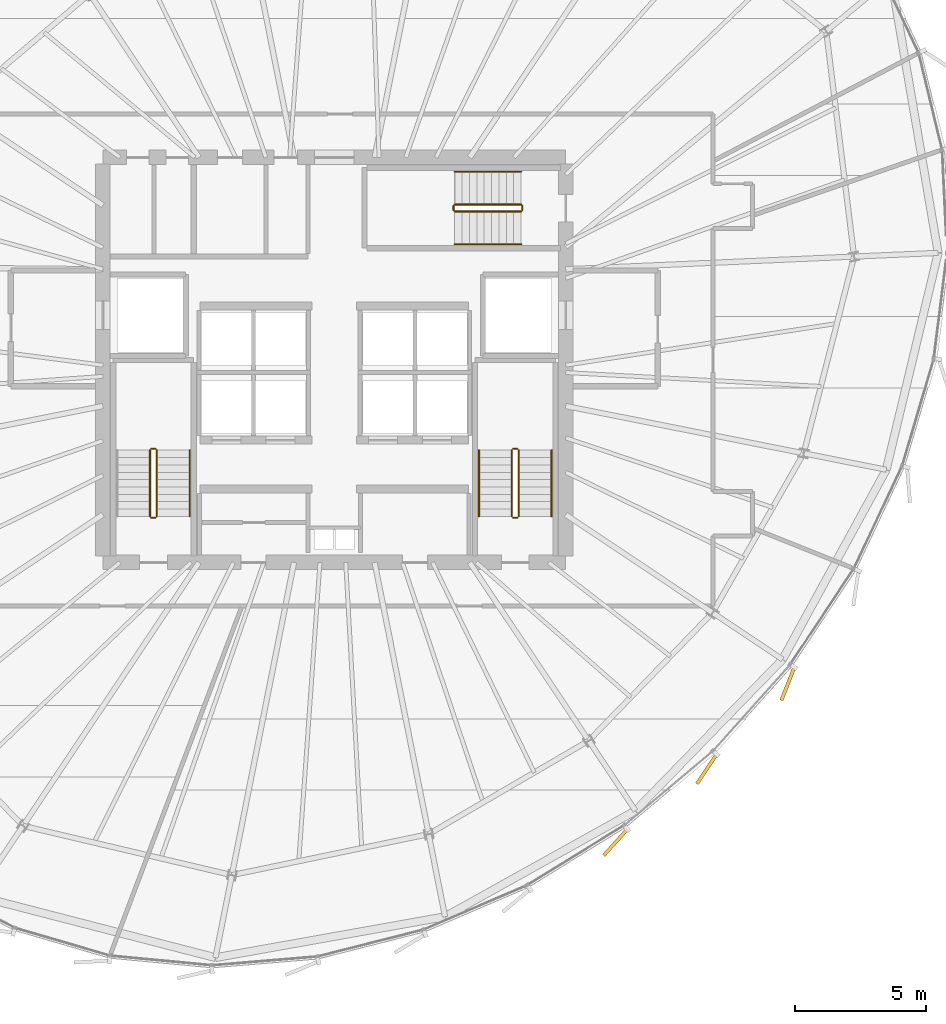
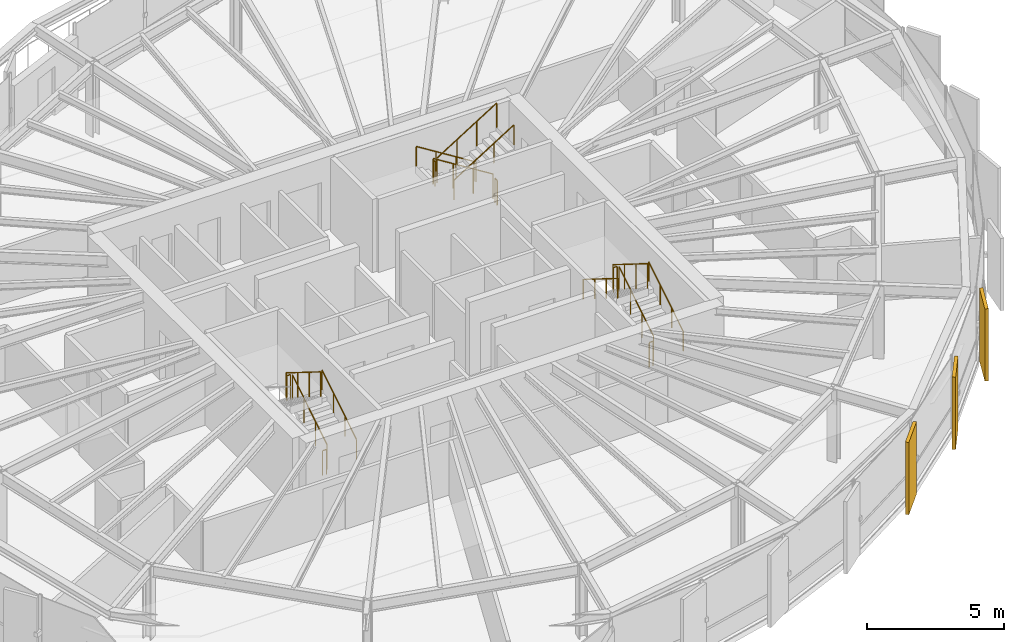
# One storey, part 32 of 33: 17 railings, 3 coverings.
"""IFC4 building model written with IfcOpenShell, lengths in metres."""

import ifcopenshell
import ifcopenshell.guid

model = None  # the IFC model being written
_history = None  # IfcOwnerHistory: only IFC2X3 demands one
_inside = {}  # id of a spatial element -> (the spatial element, [elements in it])
_under = {}  # id of a project, library or spatial element -> (it, [spatial elements below it])
_declared = {}  # id of a project -> (the project, [libraries it declares])
_typed = {}  # id of a type object -> (the type object, [elements of that type])
_made_of = {}  # id of a material, layer set ... -> (it, [elements and type objects made of it])


def new_model(schema):
    """Start an empty IFC model of exactly this schema.

    Asked for "IFC4X3", IfcOpenShell would pick the latest addendum, in which some entities
    have other attributes; the version numbers below select the first issue.
    IFC2X3 requires an IfcOwnerHistory on every rooted entity: one is made here for all.
    """
    global model, _history
    if schema == "IFC4X3":
        model = ifcopenshell.file(schema_version=(4, 3, 0, 0))
    else:
        model = ifcopenshell.file(schema=schema)
    _inside.clear()
    _under.clear()
    _declared.clear()
    _typed.clear()
    _made_of.clear()
    _history = None
    if model.schema == "IFC2X3":
        org = make("IfcOrganization", Name="unknown")
        user = make(
            "IfcPersonAndOrganization",
            ThePerson=make("IfcPerson", FamilyName="unknown"),
            TheOrganization=org,
        )
        app = make(
            "IfcApplication",
            ApplicationDeveloper=org,
            Version="unknown",
            ApplicationFullName="unknown",
            ApplicationIdentifier="unknown",
        )
        _history = make(
            "IfcOwnerHistory",
            OwningUser=user,
            OwningApplication=app,
            ChangeAction="ADDED",
            CreationDate=0,
        )
    return model


def make(cls, **values):
    """One entity of the class cls with the attributes given. An attribute that is None is left unset."""
    return model.create_entity(
        cls, **{name: value for name, value in values.items() if value is not None}
    )


def rooted(cls, **values):
    """An entity with a GlobalId (a new one), such as an element, a storey or a relation."""
    return make(cls, GlobalId=ifcopenshell.guid.new(), OwnerHistory=_history, **values)


def si_unit(unit_type, name, prefix=None):
    """IfcSIUnit, for example si_unit("LENGTHUNIT", "METRE", prefix="MILLI")."""
    return make("IfcSIUnit", UnitType=unit_type, Prefix=prefix, Name=name)


def assignment(units):
    """IfcUnitAssignment: the units of a project."""
    return None if units is None else make("IfcUnitAssignment", Units=units)


def point(xyz):
    """IfcCartesianPoint."""
    return None if xyz is None else make("IfcCartesianPoint", Coordinates=xyz)


def direction(xyz):
    """IfcDirection."""
    return None if xyz is None else make("IfcDirection", DirectionRatios=xyz)


def frame(location, z_axis=None, x_axis=None):
    """IfcAxis2Placement3D, a coordinate frame: its origin and axes. An axis left out is left unset."""
    return make(
        "IfcAxis2Placement3D",
        Location=point(location),
        Axis=direction(z_axis),
        RefDirection=direction(x_axis),
    )


def frame_2d(location, x_axis=None):
    """IfcAxis2Placement2D, a coordinate frame in the plane: its origin and x axis."""
    return make(
        "IfcAxis2Placement2D", Location=point(location), RefDirection=direction(x_axis)
    )


def origin():
    """The frame at (0, 0, 0) with its axes left unset."""
    return frame((0.0, 0.0, 0.0))


def origin_2d():
    """The frame at (0, 0) in the plane with its x axis left unset."""
    return frame_2d((0.0, 0.0))


def place(relative_to, where):
    """IfcLocalPlacement: puts the frame where relative to a parent placement (None: the world)."""
    return make(
        "IfcLocalPlacement", PlacementRelTo=relative_to, RelativePlacement=where
    )


def context(
    kind, dimensions, precision=None, world=None, true_north=None, identifier=None
):
    """IfcGeometricRepresentationContext, for example the 3D "Model" context."""
    return make(
        "IfcGeometricRepresentationContext",
        ContextIdentifier=identifier,
        ContextType=kind,
        CoordinateSpaceDimension=dimensions,
        Precision=precision,
        WorldCoordinateSystem=world,
        TrueNorth=true_north,
    )


def subcontext(parent, identifier, kind, view, scale=None):
    """IfcGeometricRepresentationSubContext, for example "Body" below "Model"."""
    return make(
        "IfcGeometricRepresentationSubContext",
        ContextIdentifier=identifier,
        ContextType=kind,
        ParentContext=parent,
        TargetScale=scale,
        TargetView=view,
    )


def project(units=None, contexts=None):
    """IfcProject with its units and contexts."""
    return rooted(
        "IfcProject",
        Name="project",
        RepresentationContexts=contexts,
        UnitsInContext=assignment(units),
    )


def spatial(cls, under=None, at=None, **own):
    """A site, building, storey or space (cls), placed at a placement, below another one or the project."""
    s = rooted(cls, ObjectPlacement=at, **own)
    if under is not None:
        _under.setdefault(under.id(), (under, []))[1].append(s)
    return s


def profile(cls, at=None, kind="AREA", **sizes):
    """A parametric profile (cls). Its sizes go by their IFC names, for example OverallWidth=200.0."""
    return make(cls, ProfileType=kind, Position=at, **sizes)


def rectangle(**sizes):
    """IfcRectangleProfileDef."""
    return profile("IfcRectangleProfileDef", **sizes)


def circle(**sizes):
    """IfcCircleProfileDef."""
    return profile("IfcCircleProfileDef", **sizes)


def extrude(swept, where, along, depth):
    """IfcExtrudedAreaSolid: the profile swept, set in the frame where, extruded along a direction by depth."""
    return make(
        "IfcExtrudedAreaSolid",
        SweptArea=swept,
        Position=where,
        ExtrudedDirection=direction(along),
        Depth=depth,
    )


def shape(context_of_items, identifier, shape_type, items):
    """IfcShapeRepresentation: the items that make up one representation, for example the "Body"."""
    return make(
        "IfcShapeRepresentation",
        ContextOfItems=context_of_items,
        RepresentationIdentifier=identifier,
        RepresentationType=shape_type,
        Items=items,
    )


def source(mapping_origin, context_of_items, identifier, shape_type, items):
    """IfcRepresentationMap: a shape defined once, which mapped items show again and again."""
    return make(
        "IfcRepresentationMap",
        MappingOrigin=mapping_origin,
        MappedRepresentation=shape(context_of_items, identifier, shape_type, items),
    )


def transform(
    local_origin,
    x_axis=None,
    y_axis=None,
    z_axis=None,
    scale=None,
    scale2=None,
    scale3=None,
    uniform=True,
):
    """IfcCartesianTransformationOperator3D, or its non-uniform kind. x_axis, y_axis, z_axis: its Axis1, 2, 3."""
    if uniform:
        return make(
            "IfcCartesianTransformationOperator3D",
            Axis1=direction(x_axis),
            Axis2=direction(y_axis),
            LocalOrigin=point(local_origin),
            Scale=scale,
            Axis3=direction(z_axis),
        )
    return make(
        "IfcCartesianTransformationOperator3DnonUniform",
        Axis1=direction(x_axis),
        Axis2=direction(y_axis),
        LocalOrigin=point(local_origin),
        Scale=scale,
        Axis3=direction(z_axis),
        Scale2=scale2,
        Scale3=scale3,
    )


def mapped(mapping_source, mapping_target):
    """IfcMappedItem: shows the shape of a source again, moved by a transform."""
    return make(
        "IfcMappedItem", MappingSource=mapping_source, MappingTarget=mapping_target
    )


def material(Name=None, Category=None):
    """IfcMaterial."""
    return make("IfcMaterial", Name=Name, Category=Category)


def layer(
    of_material, thickness, ventilated=None, Name=None, Category=None, Priority=None
):
    """IfcMaterialLayer: one layer of a wall or slab, of a material (None: an air gap)."""
    return make(
        "IfcMaterialLayer",
        Material=of_material,
        LayerThickness=thickness,
        IsVentilated=ventilated,
        Name=Name,
        Category=Category,
        Priority=Priority,
    )


def layer_set(layers, Name=None):
    """IfcMaterialLayerSet."""
    return make("IfcMaterialLayerSet", MaterialLayers=layers, LayerSetName=Name)


def made_of(thing, what):
    """Note that an element or type object is made of a material, layer set ...; save() writes the relation."""
    if what is not None:
        _made_of.setdefault(what.id(), (what, []))[1].append(thing)
    return thing


def type_object(cls, material=None, **own):
    """A type object (cls), such as IfcWallType, which elements share."""
    return made_of(rooted(cls, **own), material)


def element(
    cls,
    number,
    at=None,
    inside=None,
    cuts=None,
    type_object=None,
    material=None,
    context=None,
    identifier="Body",
    shape_type=None,
    held_by="IfcProductDefinitionShape",
    body=None,
    shapes=None,
    **own,
):
    """One element of the class cls, such as IfcWall. Its Tag is "e" and its number.

    at: its placement. inside: the storey or other place that contains it. cuts: it is an
    opening in that element (IfcRelVoidsElement). A single representation is given by context,
    identifier, shape_type and body (its items); several are given by shapes. held_by: the class
    of the entity that holds the representations. save() writes the other relations.
    """
    e = rooted(cls, Tag="e%d" % number, ObjectPlacement=at, **own)
    if body is not None:
        shapes = [shape(context, identifier, shape_type, body)]
    if shapes is not None:
        e.Representation = make(held_by, Representations=shapes)
    if inside is not None:
        _inside.setdefault(inside.id(), (inside, []))[1].append(e)
    if cuts is not None:
        rooted(
            "IfcRelVoidsElement", RelatingBuildingElement=cuts, RelatedOpeningElement=e
        )
    if type_object is not None:
        _typed.setdefault(type_object.id(), (type_object, []))[1].append(e)
    return made_of(e, material)


def aggregate(whole, parts):
    """IfcRelAggregates: a whole, such as a stair, and the parts it consists of."""
    return rooted("IfcRelAggregates", RelatingObject=whole, RelatedObjects=parts)


def save(model, path):
    """Write the relations noted so far, then the file.

    IfcRelAggregates (storeys below a building ...), IfcRelContainedInSpatialStructure (elements
    in a storey), IfcRelDefinesByType, IfcRelAssociatesMaterial and IfcRelDeclares: one each for
    every whole, place, type object, material and project.
    """
    for whole, parts in _under.values():
        aggregate(whole, parts)
    for where, things in _inside.values():
        rooted(
            "IfcRelContainedInSpatialStructure",
            RelatedElements=things,
            RelatingStructure=where,
        )
    for kind, things in _typed.values():
        rooted("IfcRelDefinesByType", RelatedObjects=things, RelatingType=kind)
    for what, things in _made_of.values():
        rooted("IfcRelAssociatesMaterial", RelatedObjects=things, RelatingMaterial=what)
    for by, libraries in _declared.values():
        rooted("IfcRelDeclares", RelatingContext=by, RelatedDefinitions=libraries)
    model.write(path)


model = new_model("IFC4")

# Units and contexts
model_context = context("Model", 3, precision=1e-05, world=origin(), true_north=direction((0.0, 1.0)))
body_context = subcontext(model_context, "Body", "Model", "MODEL_VIEW")
ifc_project = project(units=[si_unit("LENGTHUNIT", "METRE"), si_unit("AREAUNIT", "SQUARE_METRE"), si_unit("VOLUMEUNIT", "CUBIC_METRE"), si_unit("PLANEANGLEUNIT", "RADIAN"), si_unit("MASSUNIT", "GRAM", prefix="KILO"), si_unit("THERMODYNAMICTEMPERATUREUNIT", "KELVIN")], contexts=[model_context])

# Site, building, storey
site_placement = place(None, origin())
site = spatial("IfcSite", under=ifc_project, at=site_placement, CompositionType="ELEMENT")
building_placement = place(site_placement, origin())
building = spatial("IfcBuilding", under=site, at=building_placement, Name="Kethvar Cultural Tower", CompositionType="ELEMENT")
storey_placement = place(building_placement, frame((0.0, 0.0, 211.39990234375)))
storey = spatial("IfcBuildingStorey", under=building, at=storey_placement, Name="L55", CompositionType="ELEMENT", Elevation=211.39990234375)

# Railings
ifc_material_1 = material(Name="Steel S355J2", Category="steel")
railing_type_1 = type_object("IfcRailingType", Name="RL-STAIR-GUARD", PredefinedType="BALUSTRADE", material=ifc_material_1)
railing_1_placement = place(storey_placement, frame((40.050048828125, 21.85009765625, 0.175048828125)))
element("IfcRailing", 1, at=railing_1_placement, inside=storey, type_object=railing_type_1, Name="L55 ST-01 stair guard 1", PredefinedType="BALUSTRADE", context=body_context, shape_type="SweptSolid", body=[
    extrude(circle(Radius=0.02392578125, at=origin_2d()), frame((0.0, 0.0, 1.09619140625), z_axis=(0.0, 0.848007534815, 0.529984170421), x_axis=(-1.0, 0.0, 0.0)), (0.0, 0.0, 1.0), 2.9716796875),
    extrude(circle(Radius=0.02099609375, at=origin_2d()), origin(), (0.0, 0.0, 1.0), 1.072021484375),
    extrude(circle(Radius=0.02099609375, at=origin_2d()), frame((0.0, 0.840087890625, 0.52490234375)), (0.0, 0.0, 1.0), 1.072021484375),
    extrude(circle(Radius=0.02099609375, at=origin_2d()), frame((0.0, 1.679931640625, 1.050048828125)), (0.0, 0.0, 1.0), 1.072021484375),
    extrude(circle(Radius=0.02099609375, at=origin_2d()), frame((0.0, 2.52001953125, 1.574951171875)), (0.0, 0.0, 1.0), 1.072021484375),
])
railing_2_placement = place(storey_placement, frame((40.0, 24.419921875, 1.75)))
element("IfcRailing", 2, at=railing_2_placement, inside=storey, type_object=railing_type_1, Name="L55 ST-01 stair guard 2", PredefinedType="BALUSTRADE", context=body_context, shape_type="SweptSolid", body=[
    extrude(circle(Radius=0.02392578125, at=origin_2d()), frame((0.0, 0.0, 1.09619140625), z_axis=(-1.0, 0.0, 0.0), x_axis=(0.0, -1.0, 0.0)), (0.0, 0.0, 1.0), 0.159912109375),
    extrude(circle(Radius=0.02099609375, at=origin_2d()), origin(), (0.0, 0.0, 1.0), 1.072021484375),
    extrude(circle(Radius=0.02099609375, at=origin_2d()), frame((-0.159912109375, 0.0, 0.0)), (0.0, 0.0, 1.0), 1.072021484375),
])
railing_3_placement = place(storey_placement, frame((39.7900390625, 24.3701171875, 1.925048828125)))
element("IfcRailing", 3, at=railing_3_placement, inside=storey, type_object=railing_type_1, Name="L55 ST-01 stair guard 3", PredefinedType="BALUSTRADE", context=body_context, shape_type="SweptSolid", body=[
    extrude(circle(Radius=0.02392578125, at=origin_2d()), frame((0.0, 0.0, 1.09619140625), z_axis=(0.0, -0.848007534815, 0.529984170421), x_axis=(1.0, 0.0, 0.0)), (0.0, 0.0, 1.0), 2.9716796875),
    extrude(circle(Radius=0.02099609375, at=origin_2d()), origin(), (0.0, 0.0, 1.0), 1.072021484375),
    extrude(circle(Radius=0.02099609375, at=origin_2d()), frame((0.0, -0.840087890625, 0.52490234375)), (0.0, 0.0, 1.0), 1.072021484375),
    extrude(circle(Radius=0.02099609375, at=origin_2d()), frame((0.0, -1.679931640625, 1.050048828125)), (0.0, 0.0, 1.0), 1.072021484375),
    extrude(circle(Radius=0.02099609375, at=origin_2d()), frame((0.0, -2.52001953125, 1.574951171875)), (0.0, 0.0, 1.0), 1.072021484375),
])
railing_4_placement = place(storey_placement, frame((40.0, 21.800048828125, 0.0)))
element("IfcRailing", 4, at=railing_4_placement, inside=storey, type_object=railing_type_1, Name="L55 ST-01 stair guard 4", PredefinedType="BALUSTRADE", context=body_context, shape_type="SweptSolid", body=[
    extrude(circle(Radius=0.02392578125, at=origin_2d()), frame((0.0, 0.0, 1.09619140625), z_axis=(-1.0, 0.0, 0.0), x_axis=(0.0, -1.0, 0.0)), (0.0, 0.0, 1.0), 0.159912109375),
    extrude(circle(Radius=0.02099609375, at=origin_2d()), origin(), (0.0, 0.0, 1.0), 1.072021484375),
    extrude(circle(Radius=0.02099609375, at=origin_2d()), frame((-0.159912109375, 0.0, 0.0)), (0.0, 0.0, 1.0), 1.072021484375),
])
railing_5_placement = place(storey_placement, frame((53.81005859375, 21.85009765625, 0.175048828125)))
element("IfcRailing", 5, at=railing_5_placement, inside=storey, type_object=railing_type_1, Name="L55 ST-02 stair guard 1", PredefinedType="BALUSTRADE", context=body_context, shape_type="SweptSolid", body=[
    extrude(circle(Radius=0.02392578125, at=origin_2d()), frame((0.0, 0.0, 1.09619140625), z_axis=(0.0, 0.848007534815, 0.529984170421), x_axis=(-1.0, 0.0, 0.0)), (0.0, 0.0, 1.0), 2.9716796875),
    extrude(circle(Radius=0.02099609375, at=origin_2d()), origin(), (0.0, 0.0, 1.0), 1.072021484375),
    extrude(circle(Radius=0.02099609375, at=origin_2d()), frame((0.0, 0.840087890625, 0.52490234375)), (0.0, 0.0, 1.0), 1.072021484375),
    extrude(circle(Radius=0.02099609375, at=origin_2d()), frame((0.0, 1.679931640625, 1.050048828125)), (0.0, 0.0, 1.0), 1.072021484375),
    extrude(circle(Radius=0.02099609375, at=origin_2d()), frame((0.0, 2.52001953125, 1.574951171875)), (0.0, 0.0, 1.0), 1.072021484375),
])
railing_6_placement = place(storey_placement, frame((53.760009765625, 24.419921875, 1.75)))
element("IfcRailing", 6, at=railing_6_placement, inside=storey, type_object=railing_type_1, Name="L55 ST-02 stair guard 2", PredefinedType="BALUSTRADE", context=body_context, shape_type="SweptSolid", body=[
    extrude(circle(Radius=0.02392578125, at=origin_2d()), frame((0.0, 0.0, 1.09619140625), z_axis=(-1.0, 0.0, 0.0), x_axis=(0.0, -1.0, 0.0)), (0.0, 0.0, 1.0), 0.159912109375),
    extrude(circle(Radius=0.02099609375, at=origin_2d()), origin(), (0.0, 0.0, 1.0), 1.072021484375),
    extrude(circle(Radius=0.02099609375, at=origin_2d()), frame((-0.159912109375, 0.0, 0.0)), (0.0, 0.0, 1.0), 1.072021484375),
])
railing_7_placement = place(storey_placement, frame((53.550048828125, 24.3701171875, 1.925048828125)))
element("IfcRailing", 7, at=railing_7_placement, inside=storey, type_object=railing_type_1, Name="L55 ST-02 stair guard 3", PredefinedType="BALUSTRADE", context=body_context, shape_type="SweptSolid", body=[
    extrude(circle(Radius=0.02392578125, at=origin_2d()), frame((0.0, 0.0, 1.09619140625), z_axis=(0.0, -0.848007534815, 0.529984170421), x_axis=(1.0, 0.0, 0.0)), (0.0, 0.0, 1.0), 2.9716796875),
    extrude(circle(Radius=0.02099609375, at=origin_2d()), origin(), (0.0, 0.0, 1.0), 1.072021484375),
    extrude(circle(Radius=0.02099609375, at=origin_2d()), frame((0.0, -0.840087890625, 0.52490234375)), (0.0, 0.0, 1.0), 1.072021484375),
    extrude(circle(Radius=0.02099609375, at=origin_2d()), frame((0.0, -1.679931640625, 1.050048828125)), (0.0, 0.0, 1.0), 1.072021484375),
    extrude(circle(Radius=0.02099609375, at=origin_2d()), frame((0.0, -2.52001953125, 1.574951171875)), (0.0, 0.0, 1.0), 1.072021484375),
])
railing_8_placement = place(storey_placement, frame((53.760009765625, 21.800048828125, 0.0)))
element("IfcRailing", 8, at=railing_8_placement, inside=storey, type_object=railing_type_1, Name="L55 ST-02 stair guard 4", PredefinedType="BALUSTRADE", context=body_context, shape_type="SweptSolid", body=[
    extrude(circle(Radius=0.02392578125, at=origin_2d()), frame((0.0, 0.0, 1.09619140625), z_axis=(-1.0, 0.0, 0.0), x_axis=(0.0, -1.0, 0.0)), (0.0, 0.0, 1.0), 0.159912109375),
    extrude(circle(Radius=0.02099609375, at=origin_2d()), origin(), (0.0, 0.0, 1.0), 1.072021484375),
    extrude(circle(Radius=0.02099609375, at=origin_2d()), frame((-0.159912109375, 0.0, 0.0)), (0.0, 0.0, 1.0), 1.072021484375),
])
railing_9_placement = place(storey_placement, frame((53.89990234375, 33.7099609375, 0.175048828125)))
element("IfcRailing", 9, at=railing_9_placement, inside=storey, type_object=railing_type_1, Name="L55 ST-03 stair guard 1", PredefinedType="BALUSTRADE", context=body_context, shape_type="SweptSolid", body=[
    extrude(circle(Radius=0.02392578125, at=origin_2d()), frame((0.0, 0.0, 1.09619140625), z_axis=(-0.848007534815, 0.0, 0.529984170421), x_axis=(0.0, -1.0, 0.0)), (0.0, 0.0, 1.0), 2.9716796875),
    extrude(circle(Radius=0.02099609375, at=origin_2d()), origin(), (0.0, 0.0, 1.0), 1.072021484375),
    extrude(circle(Radius=0.02099609375, at=origin_2d()), frame((-0.840087890625, 0.0, 0.52490234375)), (0.0, 0.0, 1.0), 1.072021484375),
    extrude(circle(Radius=0.02099609375, at=origin_2d()), frame((-1.679931640625, 0.0, 1.050048828125)), (0.0, 0.0, 1.0), 1.072021484375),
    extrude(circle(Radius=0.02099609375, at=origin_2d()), frame((-2.52001953125, 0.0, 1.574951171875)), (0.0, 0.0, 1.0), 1.072021484375),
])
railing_10_placement = place(storey_placement, frame((51.330078125, 33.659912109375, 1.75)))
element("IfcRailing", 10, at=railing_10_placement, inside=storey, type_object=railing_type_1, Name="L55 ST-03 stair guard 2", PredefinedType="BALUSTRADE", context=body_context, shape_type="SweptSolid", body=[
    extrude(circle(Radius=0.02392578125, at=origin_2d()), frame((0.0, 0.0, 1.09619140625), z_axis=(0.0, -1.0, 0.0), x_axis=(1.0, 0.0, 0.0)), (0.0, 0.0, 1.0), 0.159912109375),
    extrude(circle(Radius=0.02099609375, at=origin_2d()), origin(), (0.0, 0.0, 1.0), 1.072021484375),
    extrude(circle(Radius=0.02099609375, at=origin_2d()), frame((0.0, -0.159912109375, 0.0)), (0.0, 0.0, 1.0), 1.072021484375),
])
railing_11_placement = place(storey_placement, frame((51.3798828125, 33.449951171875, 1.925048828125)))
element("IfcRailing", 11, at=railing_11_placement, inside=storey, type_object=railing_type_1, Name="L55 ST-03 stair guard 3", PredefinedType="BALUSTRADE", context=body_context, shape_type="SweptSolid", body=[
    extrude(circle(Radius=0.02392578125, at=origin_2d()), frame((0.0, 0.0, 1.09619140625), z_axis=(0.848007534815, 0.0, 0.529984170421), x_axis=(0.0, 1.0, 0.0)), (0.0, 0.0, 1.0), 2.9716796875),
    extrude(circle(Radius=0.02099609375, at=origin_2d()), origin(), (0.0, 0.0, 1.0), 1.072021484375),
    extrude(circle(Radius=0.02099609375, at=origin_2d()), frame((0.840087890625, 0.0, 0.52490234375)), (0.0, 0.0, 1.0), 1.072021484375),
    extrude(circle(Radius=0.02099609375, at=origin_2d()), frame((1.679931640625, 0.0, 1.050048828125)), (0.0, 0.0, 1.0), 1.072021484375),
    extrude(circle(Radius=0.02099609375, at=origin_2d()), frame((2.52001953125, 0.0, 1.574951171875)), (0.0, 0.0, 1.0), 1.072021484375),
])
railing_12_placement = place(storey_placement, frame((53.949951171875, 33.659912109375, 0.0)))
element("IfcRailing", 12, at=railing_12_placement, inside=storey, type_object=railing_type_1, Name="L55 ST-03 stair guard 4", PredefinedType="BALUSTRADE", context=body_context, shape_type="SweptSolid", body=[
    extrude(circle(Radius=0.02392578125, at=origin_2d()), frame((0.0, 0.0, 1.09619140625), z_axis=(0.0, -1.0, 0.0), x_axis=(1.0, 0.0, 0.0)), (0.0, 0.0, 1.0), 0.159912109375),
    extrude(circle(Radius=0.02099609375, at=origin_2d()), origin(), (0.0, 0.0, 1.0), 1.072021484375),
    extrude(circle(Radius=0.02099609375, at=origin_2d()), frame((0.0, -0.159912109375, 0.0)), (0.0, 0.0, 1.0), 1.072021484375),
])
railing_type_2 = type_object("IfcRailingType", Name="RL-STAIR-HANDRAIL", PredefinedType="HANDRAIL", material=ifc_material_1)
for number, where, name in (
    (13, (41.300048828125, 21.85009765625, 0.175048828125), "L55 ST-01 stair handrail 1"),
    (14, (55.06005859375, 21.85009765625, 0.175048828125), "L55 ST-02 stair handrail 1"),
):
    element("IfcRailing", number, at=place(storey_placement, frame(where)), inside=storey, type_object=railing_type_2, Name=name, PredefinedType="HANDRAIL", context=body_context, shape_type="SweptSolid", body=[
        extrude(circle(Radius=0.02392578125, at=origin_2d()), frame((0.0, 0.0, 0.8759765625), z_axis=(0.0, 0.848007534815, 0.529984170421), x_axis=(-1.0, 0.0, 0.0)), (0.0, 0.0, 1.0), 2.9716796875),
        extrude(circle(Radius=0.02099609375, at=origin_2d()), origin(), (0.0, 0.0, 1.0), 0.851806640625),
        extrude(circle(Radius=0.02099609375, at=origin_2d()), frame((0.0, 0.840087890625, 0.52490234375)), (0.0, 0.0, 1.0), 0.851806640625),
        extrude(circle(Radius=0.02099609375, at=origin_2d()), frame((0.0, 1.679931640625, 1.050048828125)), (0.0, 0.0, 1.0), 0.851806640625),
        extrude(circle(Radius=0.02099609375, at=origin_2d()), frame((0.0, 2.52001953125, 1.574951171875)), (0.0, 0.0, 1.0), 0.851806640625),
    ])
railing_13_placement = place(storey_placement, frame((52.300048828125, 24.3701171875, 1.925048828125)))
element("IfcRailing", 15, at=railing_13_placement, inside=storey, type_object=railing_type_2, Name="L55 ST-02 stair handrail 2", PredefinedType="HANDRAIL", context=body_context, shape_type="SweptSolid", body=[
    extrude(circle(Radius=0.02392578125, at=origin_2d()), frame((0.0, 0.0, 0.8759765625), z_axis=(0.0, -0.848007534815, 0.529984170421), x_axis=(1.0, 0.0, 0.0)), (0.0, 0.0, 1.0), 2.9716796875),
    extrude(circle(Radius=0.02099609375, at=origin_2d()), origin(), (0.0, 0.0, 1.0), 0.851806640625),
    extrude(circle(Radius=0.02099609375, at=origin_2d()), frame((0.0, -0.840087890625, 0.52490234375)), (0.0, 0.0, 1.0), 0.851806640625),
    extrude(circle(Radius=0.02099609375, at=origin_2d()), frame((0.0, -1.679931640625, 1.050048828125)), (0.0, 0.0, 1.0), 0.851806640625),
    extrude(circle(Radius=0.02099609375, at=origin_2d()), frame((0.0, -2.52001953125, 1.574951171875)), (0.0, 0.0, 1.0), 0.851806640625),
])
railing_14_placement = place(storey_placement, frame((53.89990234375, 34.9599609375, 0.175048828125)))
element("IfcRailing", 16, at=railing_14_placement, inside=storey, type_object=railing_type_2, Name="L55 ST-03 stair handrail 1", PredefinedType="HANDRAIL", context=body_context, shape_type="SweptSolid", body=[
    extrude(circle(Radius=0.02392578125, at=origin_2d()), frame((0.0, 0.0, 0.8759765625), z_axis=(-0.848007534815, 0.0, 0.529984170421), x_axis=(0.0, -1.0, 0.0)), (0.0, 0.0, 1.0), 2.9716796875),
    extrude(circle(Radius=0.02099609375, at=origin_2d()), origin(), (0.0, 0.0, 1.0), 0.851806640625),
    extrude(circle(Radius=0.02099609375, at=origin_2d()), frame((-0.840087890625, 0.0, 0.52490234375)), (0.0, 0.0, 1.0), 0.851806640625),
    extrude(circle(Radius=0.02099609375, at=origin_2d()), frame((-1.679931640625, 0.0, 1.050048828125)), (0.0, 0.0, 1.0), 0.851806640625),
    extrude(circle(Radius=0.02099609375, at=origin_2d()), frame((-2.52001953125, 0.0, 1.574951171875)), (0.0, 0.0, 1.0), 0.851806640625),
])
railing_15_placement = place(storey_placement, frame((51.3798828125, 32.199951171875, 1.925048828125)))
element("IfcRailing", 17, at=railing_15_placement, inside=storey, type_object=railing_type_2, Name="L55 ST-03 stair handrail 2", PredefinedType="HANDRAIL", context=body_context, shape_type="SweptSolid", body=[
    extrude(circle(Radius=0.02392578125, at=origin_2d()), frame((0.0, 0.0, 0.8759765625), z_axis=(0.848007534815, 0.0, 0.529984170421), x_axis=(0.0, 1.0, 0.0)), (0.0, 0.0, 1.0), 2.9716796875),
    extrude(circle(Radius=0.02099609375, at=origin_2d()), origin(), (0.0, 0.0, 1.0), 0.851806640625),
    extrude(circle(Radius=0.02099609375, at=origin_2d()), frame((0.840087890625, 0.0, 0.52490234375)), (0.0, 0.0, 1.0), 0.851806640625),
    extrude(circle(Radius=0.02099609375, at=origin_2d()), frame((1.679931640625, 0.0, 1.050048828125)), (0.0, 0.0, 1.0), 0.851806640625),
    extrude(circle(Radius=0.02099609375, at=origin_2d()), frame((2.52001953125, 0.0, 1.574951171875)), (0.0, 0.0, 1.0), 0.851806640625),
])

# Coverings
ifc_material_2 = material(Name="Extruded Architectural Terracotta", Category="masonry")
ifc_layer = layer(ifc_material_2, 0.135009765625, Name="Extruded Architectural Terracotta", Category="masonry")
ifc_layer_set = layer_set([ifc_layer], Name="Extruded Architectural Terracotta (135 mm)")
covering_type = type_object("IfcCoveringType", Name="Terracotta Facade Fin FIN-03", PredefinedType="CLADDING", material=ifc_layer_set)
shared_shape = source(origin(), body_context, "Body", "SweptSolid", [
    extrude(rectangle(XDim=1.35009765625, YDim=0.135009765625, at=origin_2d()), origin(), (0.0, 0.0, 1.0), 3.219970703125),
])
for number, where, z_axis, x_axis, name in (
    (18, (57.493408203125, 9.45654296875, 0.02001953125), (0.0, 0.0, 1.0), (-0.669130606359, -0.743144825477, 0.0), "L55 Vertical Terracotta Fin 5.2"),
    (19, (60.96240234375, 12.2451171875, 0.02001953125), (0.0, 0.0, 1.0), (-0.5562956155, -0.830984469274, 0.0), "L55 Vertical Terracotta Fin 5.3"),
    (20, (64.046875, 15.484130859375, 0.02001953125), (0.0, 0.0, 1.0), (-0.365526694947, -0.930800856941, 0.0), "L55 Vertical Terracotta Fin 5.4"),
):
    element("IfcCovering", number, at=place(storey_placement, frame(where, z_axis=z_axis, x_axis=x_axis)), inside=storey, type_object=covering_type, Name=name, PredefinedType="CLADDING", context=body_context, shape_type="MappedRepresentation", body=[
        mapped(shared_shape, transform((0.0, 0.0, 0.0), scale=1.0)),
    ])

save(model, "model.ifc")
